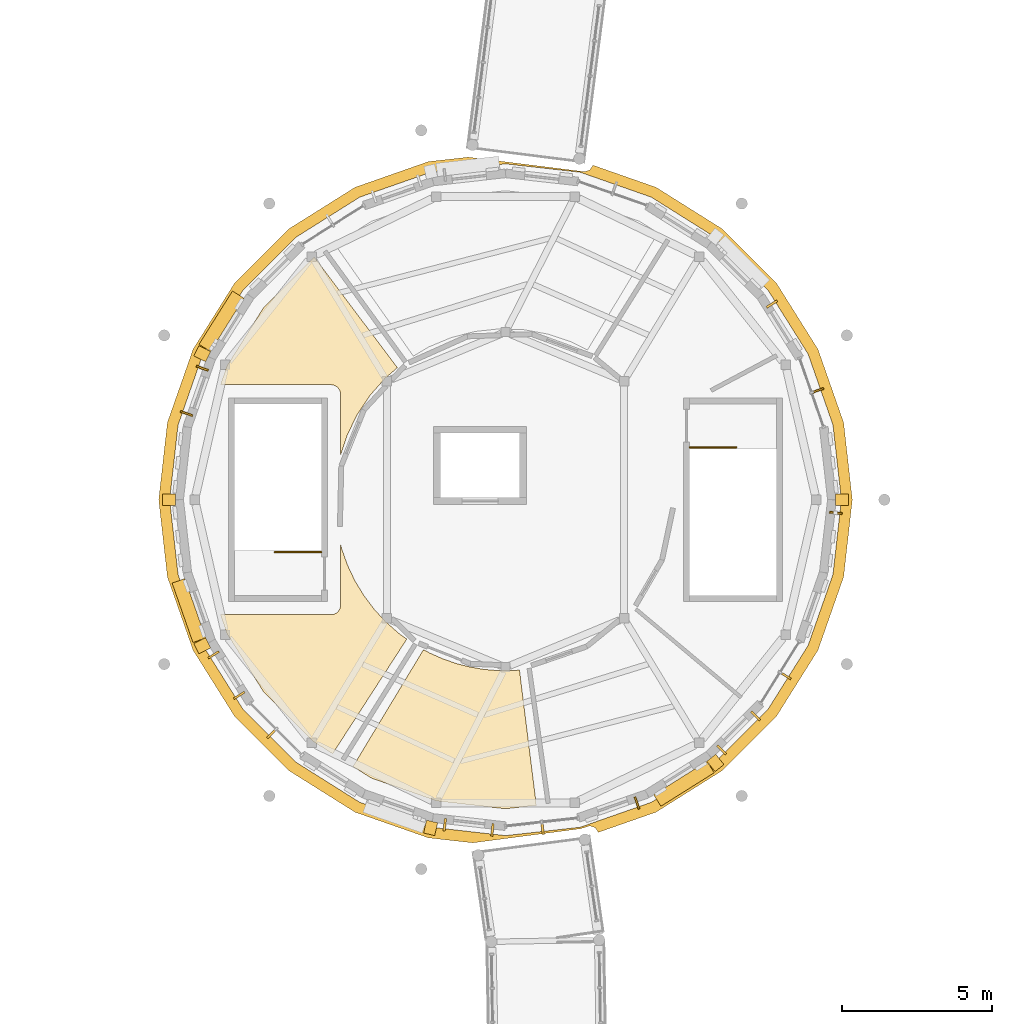
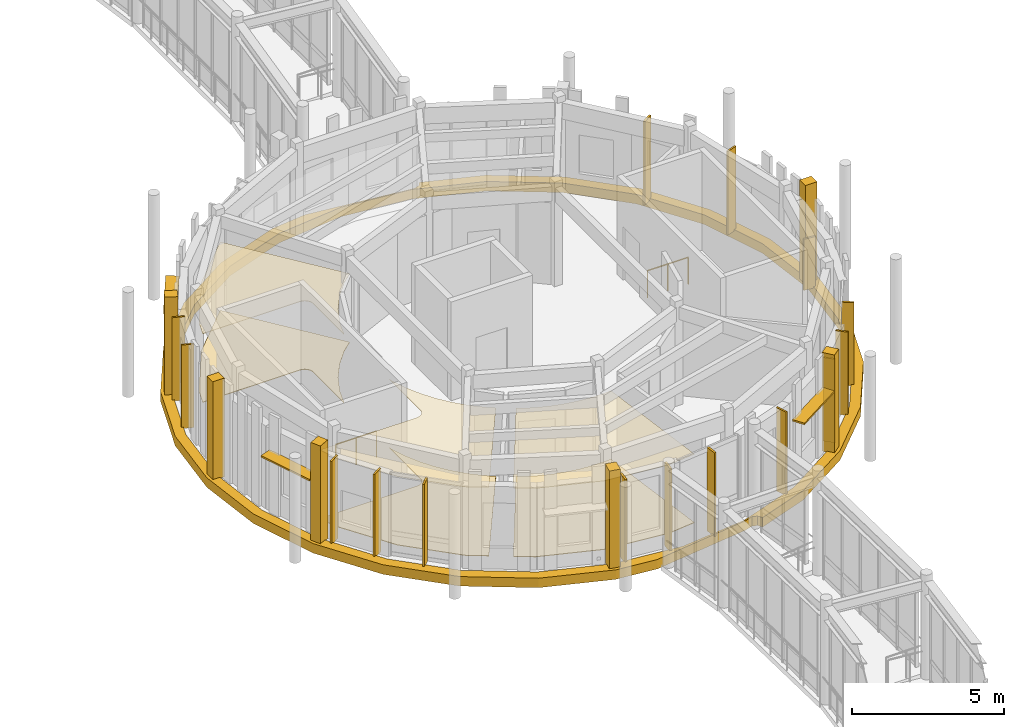
# One storey, part 68 of 80: 18 shading devices, 13 coverings, 2 railings.
"""IFC4 building model written with IfcOpenShell, lengths in metres."""

from ifc_helpers import new_model, si_unit, direction, frame, origin, origin_2d, place, context, subcontext, project, spatial, polyline, rectangle, circle, outline, extrude, material, layer, layer_set, type_object, element, save


model = new_model("IFC4")

# Units and contexts
model_context = context("Model", 3, precision=1e-05, world=origin(), true_north=direction((0.0, 1.0)))
body_context = subcontext(model_context, "Body", "Model", "MODEL_VIEW")
ifc_project = project(units=[si_unit("LENGTHUNIT", "METRE"), si_unit("AREAUNIT", "SQUARE_METRE"), si_unit("VOLUMEUNIT", "CUBIC_METRE"), si_unit("PLANEANGLEUNIT", "RADIAN"), si_unit("MASSUNIT", "GRAM", prefix="KILO")], contexts=[model_context])

# Site, building, storey
site_placement = place(None, origin())
site = spatial("IfcSite", under=ifc_project, at=site_placement, CompositionType="ELEMENT")
building_placement = place(site_placement, origin())
building = spatial("IfcBuilding", under=site, at=building_placement, Name="Aldenvaro Health Centre", CompositionType="ELEMENT")
storey_placement = place(building_placement, frame((0.0, 0.0, 4.550048828125)))
storey = spatial("IfcBuildingStorey", under=building, at=storey_placement, Name="L01", CompositionType="ELEMENT", Elevation=4.550048828125)

# Coverings
ifc_material_1 = material(Name="Antimicrobial Mineral Fibre Ceiling")
ifc_layer_1 = layer(ifc_material_1, 0.01806640625, Name="Antimicrobial Mineral Fibre Ceiling")
ifc_layer_set_1 = layer_set([ifc_layer_1], Name="Antimicrobial Mineral Fibre Ceiling")
covering_type_1 = type_object("IfcCoveringType", Name="COV-CLG-ACT18", PredefinedType="CEILING", material=ifc_layer_set_1)
covering_1_placement = place(storey_placement, frame((0.0, 0.0, 2.75)))
element("IfcCovering", 1, at=covering_1_placement, inside=storey, type_object=covering_type_1, Name="D3-L01-R02 Suspended Ceiling", PredefinedType="CEILING", context=body_context, shape_type="SweptSolid", body=[
    extrude(outline(polyline([(17.989990234375, 58.98095703125), (17.989990234375, 61.02001953125), (17.989990234375, 61.031982421875), (17.989013671875, 61.0400390625), (17.987060546875, 61.06298828125), (17.986083984375, 61.071044921875), (17.98095703125, 61.093994140625), (17.97900390625, 61.10205078125), (17.972900390625, 61.1240234375), (17.969970703125, 61.131103515625), (17.9609375, 61.153076171875), (17.9580078125, 61.159912109375), (17.946044921875, 61.180908203125), (17.94189453125, 61.18798828125), (17.928955078125, 61.20703125), (17.925048828125, 61.214111328125), (17.909912109375, 61.23193359375), (17.904052734375, 61.238037109375), (17.887939453125, 61.25390625), (17.882080078125, 61.260009765625), (17.864013671875, 61.27490234375), (17.85693359375, 61.279052734375), (17.837890625, 61.2919921875), (17.8310546875, 61.2958984375), (17.81005859375, 61.30810546875), (17.802978515625, 61.31103515625), (17.781005859375, 61.320068359375), (17.77392578125, 61.322998046875), (17.751953125, 61.3291015625), (17.743896484375, 61.3310546875), (17.720947265625, 61.3359375), (17.712890625, 61.3369140625), (17.68994140625, 61.339111328125), (17.681884765625, 61.340087890625), (17.669921875, 61.340087890625), (13.98095703125, 61.340087890625), (14.2041015625, 61.97705078125), (15.43310546875, 63.93310546875), (17.06689453125, 65.56689453125), (17.117919921875, 65.60009765625), (19.888916015625, 61.908935546875), (19.4970703125, 61.571044921875), (19.47412109375, 61.549072265625), (18.98291015625, 60.992919921875), (18.964111328125, 60.967041015625), (18.552001953125, 60.34912109375), (18.535888671875, 60.321044921875), (18.2119140625, 59.654052734375), (18.199951171875, 59.6240234375), (17.989990234375, 58.98095703125)])), origin(), (0.0, 0.0, 1.0), 0.01806640625),
])
covering_2_placement = place(storey_placement, frame((0.0, 0.0, 2.75)))
element("IfcCovering", 2, at=covering_2_placement, inside=storey, type_object=covering_type_1, Name="D3-L01-R03 Suspended Ceiling", PredefinedType="CEILING", context=body_context, shape_type="SweptSolid", body=[
    extrude(outline(polyline([(17.989990234375, 56.02392578125), (18.027099609375, 55.873046875), (18.033935546875, 55.85009765625), (18.218017578125, 55.3310546875), (18.22802734375, 55.30810546875), (18.462890625, 54.81005859375), (18.47509765625, 54.7890625), (18.760009765625, 54.31689453125), (18.77294921875, 54.297119140625), (19.10400390625, 53.85595703125), (19.118896484375, 53.837890625), (19.492919921875, 53.43310546875), (19.510009765625, 53.416015625), (19.923095703125, 53.050048828125), (19.94091796875, 53.034912109375), (20.202880859375, 52.845947265625), (17.72705078125, 49.01806640625), (17.06689453125, 49.43310546875), (15.43310546875, 51.06689453125), (14.2041015625, 53.02294921875), (13.98095703125, 53.659912109375), (17.669921875, 53.659912109375), (17.681884765625, 53.659912109375), (17.68994140625, 53.660888671875), (17.712890625, 53.6630859375), (17.720947265625, 53.6640625), (17.743896484375, 53.6689453125), (17.751953125, 53.6708984375), (17.77392578125, 53.677001953125), (17.781005859375, 53.679931640625), (17.802978515625, 53.68896484375), (17.81005859375, 53.69189453125), (17.8310546875, 53.7041015625), (17.837890625, 53.7080078125), (17.85693359375, 53.720947265625), (17.864013671875, 53.72509765625), (17.882080078125, 53.739990234375), (17.887939453125, 53.74609375), (17.904052734375, 53.761962890625), (17.909912109375, 53.76806640625), (17.925048828125, 53.785888671875), (17.928955078125, 53.79296875), (17.94189453125, 53.81201171875), (17.946044921875, 53.819091796875), (17.9580078125, 53.840087890625), (17.9609375, 53.846923828125), (17.969970703125, 53.868896484375), (17.972900390625, 53.8759765625), (17.97900390625, 53.89794921875), (17.98095703125, 53.906005859375), (17.986083984375, 53.928955078125), (17.987060546875, 53.93701171875), (17.989013671875, 53.9599609375), (17.989990234375, 53.968017578125), (17.989990234375, 53.97998046875), (17.989990234375, 56.02392578125)])), origin(), (0.0, 0.0, 1.0), 0.01806640625),
])
covering_3_placement = place(storey_placement, frame((0.0, 0.0, 2.75)))
element("IfcCovering", 3, at=covering_3_placement, inside=storey, type_object=covering_type_1, Name="D3-L01-R04 Suspended Ceiling", PredefinedType="CEILING", context=body_context, shape_type="SweptSolid", body=[
    extrude(outline(polyline([(20.958984375, 52.386962890625), (20.97705078125, 52.3779296875), (21.39306640625, 52.193115234375), (21.412109375, 52.18603515625), (21.843017578125, 52.035888671875), (21.862060546875, 52.030029296875), (22.302978515625, 51.9169921875), (22.322998046875, 51.9130859375), (22.77197265625, 51.8369140625), (22.7919921875, 51.833984375), (23.24609375, 51.7958984375), (23.26611328125, 51.794921875), (23.721923828125, 51.794921875), (23.741943359375, 51.794921875), (23.966064453125, 51.81396484375), (24.529052734375, 47.298095703125), (23.5, 47.181884765625), (21.2041015625, 47.44091796875), (19.02294921875, 48.2041015625), (18.406005859375, 48.591064453125), (20.760986328125, 52.4951171875), (20.958984375, 52.386962890625)])), origin(), (0.0, 0.0, 1.0), 0.01806640625),
])
ifc_material_2 = material(Name="Honed Sonoran Buff Limestone", Category="masonry")
ifc_layer_2 = layer(ifc_material_2, 0.280029296875, Name="Honed Sonoran Buff Limestone", Category="masonry")
ifc_layer_set_2 = layer_set([ifc_layer_2], Name="Honed Sonoran Buff Limestone")
covering_type_2 = type_object("IfcCoveringType", Name="COV-CRN-STN", PredefinedType="CLADDING", material=ifc_layer_set_2)
covering_4_placement = place(storey_placement, frame((0.0, 0.0, -0.340087890625)))
element("IfcCovering", 4, at=covering_4_placement, inside=storey, type_object=covering_type_2, Name="D3 L01 Classical Stone Entablature Cornice 1", PredefinedType="CLADDING", context=body_context, shape_type="SweptSolid", body=[
    extrude(outline(polyline([(28.52392578125, 67.93310546875), (30.719970703125, 66.553955078125), (32.553955078125, 64.719970703125), (33.93310546875, 62.52392578125), (34.7900390625, 60.076904296875), (35.080078125, 57.5), (34.7900390625, 54.923095703125), (33.93310546875, 52.47607421875), (32.553955078125, 50.280029296875), (30.719970703125, 48.446044921875), (28.52392578125, 47.06689453125), (26.59912109375, 46.39306640625), (26.493896484375, 46.553955078125), (26.31396484375, 46.610107421875), (26.0048828125, 46.513916015625), (22.405029296875, 46.04296875), (20.923095703125, 46.2099609375), (18.47607421875, 47.06689453125), (16.280029296875, 48.446044921875), (14.446044921875, 50.280029296875), (13.06689453125, 52.47607421875), (12.2099609375, 54.923095703125), (11.919921875, 57.5), (12.2099609375, 60.076904296875), (13.06689453125, 62.52392578125), (14.446044921875, 64.719970703125), (16.280029296875, 66.553955078125), (18.47607421875, 67.93310546875), (20.923095703125, 68.7900390625), (22.251953125, 68.93994140625), (26.139892578125, 68.452880859375), (26.319091796875, 68.511962890625), (26.4208984375, 68.669921875), (28.52392578125, 67.93310546875)]), holes=[polyline([(34.43408203125, 59.99609375), (33.60400390625, 62.365966796875), (32.26806640625, 64.491943359375), (30.491943359375, 66.26806640625), (28.365966796875, 67.60400390625), (25.99609375, 68.43408203125), (23.5, 68.715087890625), (21.00390625, 68.43408203125), (18.634033203125, 67.60400390625), (16.508056640625, 66.26806640625), (14.73193359375, 64.491943359375), (13.39599609375, 62.365966796875), (12.56591796875, 59.99609375), (12.284912109375, 57.5), (12.56591796875, 55.00390625), (13.39599609375, 52.634033203125), (14.73193359375, 50.508056640625), (16.508056640625, 48.73193359375), (18.634033203125, 47.39599609375), (21.00390625, 46.56591796875), (23.5, 46.284912109375), (25.99609375, 46.56591796875), (28.365966796875, 47.39599609375), (30.491943359375, 48.73193359375), (32.26806640625, 50.508056640625), (33.60400390625, 52.634033203125), (34.43408203125, 55.00390625), (34.715087890625, 57.5), (34.43408203125, 59.99609375)])]), origin(), (0.0, 0.0, 1.0), 0.380126953125),
])
for number, where, z_axis, x_axis, name in (
    (5, (34.739990234375, 57.5, 0.0), (0.0, 0.0, 1.0), (1.0, 0.0, 0.0), "D3 L01 Engaged Classical Limestone Pilaster 01"),
    (6, (30.508056640625, 48.7119140625, 0.0), (0.0, 0.0, 1.0), (0.623485976143, -0.781834533359, 0.0), "D3 L01 Engaged Classical Limestone Pilaster 03"),
    (7, (20.9990234375, 46.5419921875, 0.0), (0.0, 0.0, 1.0), (-0.222473549538, -0.974938726155, 0.0), "D3 L01 Engaged Classical Limestone Pilaster 05"),
    (8, (13.373046875, 52.6240234375, 0.0), (0.0, 0.0, 1.0), (-0.900988388345, -0.433843202168, 0.0), "D3 L01 Engaged Classical Limestone Pilaster 07"),
    (9, (12.260009765625, 57.5, 0.0), (0.0, 0.0, 1.0), (-1.0, 0.0, 0.0), "D3 L01 Engaged Classical Limestone Pilaster 08"),
    (10, (13.373046875, 62.3759765625, 0.0), (0.0, 0.0, 1.0), (-0.900988388345, 0.433843202168, 0.0), "D3 L01 Engaged Classical Limestone Pilaster 09"),
):
    element("IfcCovering", number, at=place(storey_placement, frame(where, z_axis=z_axis, x_axis=x_axis)), inside=storey, type_object=covering_type_2, Name=name, PredefinedType="CLADDING", context=body_context, shape_type="SweptSolid", body=[
        extrude(rectangle(XDim=0.43994140625, YDim=0.3798828125, at=origin_2d()), origin(), (0.0, 0.0, 1.0), 3.9599609375),
    ])
ifc_material_3 = material(Name="Polished Epoxy Terrazzo Flooring")
ifc_layer_3 = layer(ifc_material_3, 0.02197265625, Name="Polished Epoxy Terrazzo Flooring")
ifc_layer_set_3 = layer_set([ifc_layer_3], Name="Polished Epoxy Terrazzo Flooring")
covering_type_3 = type_object("IfcCoveringType", Name="COV-FLR-TER22", PredefinedType="FLOORING", material=ifc_layer_set_3)
covering_5_placement = place(storey_placement, origin())
element("IfcCovering", 11, at=covering_5_placement, inside=storey, type_object=covering_type_3, Name="D3-L01-R02 Flooring", PredefinedType="FLOORING", context=body_context, shape_type="SweptSolid", body=[
    extrude(outline(polyline([(17.989990234375, 58.98095703125), (17.989990234375, 61.02001953125), (17.989990234375, 61.031982421875), (17.989013671875, 61.0400390625), (17.987060546875, 61.06298828125), (17.986083984375, 61.071044921875), (17.98095703125, 61.093994140625), (17.97900390625, 61.10205078125), (17.972900390625, 61.1240234375), (17.969970703125, 61.131103515625), (17.9609375, 61.153076171875), (17.9580078125, 61.159912109375), (17.946044921875, 61.180908203125), (17.94189453125, 61.18798828125), (17.928955078125, 61.20703125), (17.925048828125, 61.214111328125), (17.909912109375, 61.23193359375), (17.904052734375, 61.238037109375), (17.887939453125, 61.25390625), (17.882080078125, 61.260009765625), (17.864013671875, 61.27490234375), (17.85693359375, 61.279052734375), (17.837890625, 61.2919921875), (17.8310546875, 61.2958984375), (17.81005859375, 61.30810546875), (17.802978515625, 61.31103515625), (17.781005859375, 61.320068359375), (17.77392578125, 61.322998046875), (17.751953125, 61.3291015625), (17.743896484375, 61.3310546875), (17.720947265625, 61.3359375), (17.712890625, 61.3369140625), (17.68994140625, 61.339111328125), (17.681884765625, 61.340087890625), (17.669921875, 61.340087890625), (13.98095703125, 61.340087890625), (14.2041015625, 61.97705078125), (15.43310546875, 63.93310546875), (17.06689453125, 65.56689453125), (17.117919921875, 65.60009765625), (19.888916015625, 61.908935546875), (19.4970703125, 61.571044921875), (19.47412109375, 61.549072265625), (18.98291015625, 60.992919921875), (18.964111328125, 60.967041015625), (18.552001953125, 60.34912109375), (18.535888671875, 60.321044921875), (18.2119140625, 59.654052734375), (18.199951171875, 59.6240234375), (17.989990234375, 58.98095703125)])), origin(), (0.0, 0.0, 1.0), 0.02197265625),
])
covering_6_placement = place(storey_placement, origin())
element("IfcCovering", 12, at=covering_6_placement, inside=storey, type_object=covering_type_3, Name="D3-L01-R03 Flooring", PredefinedType="FLOORING", context=body_context, shape_type="SweptSolid", body=[
    extrude(outline(polyline([(17.989990234375, 56.02392578125), (18.027099609375, 55.873046875), (18.033935546875, 55.85009765625), (18.218017578125, 55.3310546875), (18.22802734375, 55.30810546875), (18.462890625, 54.81005859375), (18.47509765625, 54.7890625), (18.760009765625, 54.31689453125), (18.77294921875, 54.297119140625), (19.10400390625, 53.85595703125), (19.118896484375, 53.837890625), (19.492919921875, 53.43310546875), (19.510009765625, 53.416015625), (19.923095703125, 53.050048828125), (19.94091796875, 53.034912109375), (20.202880859375, 52.845947265625), (17.72705078125, 49.01806640625), (17.06689453125, 49.43310546875), (15.43310546875, 51.06689453125), (14.2041015625, 53.02294921875), (13.98095703125, 53.659912109375), (17.669921875, 53.659912109375), (17.681884765625, 53.659912109375), (17.68994140625, 53.660888671875), (17.712890625, 53.6630859375), (17.720947265625, 53.6640625), (17.743896484375, 53.6689453125), (17.751953125, 53.6708984375), (17.77392578125, 53.677001953125), (17.781005859375, 53.679931640625), (17.802978515625, 53.68896484375), (17.81005859375, 53.69189453125), (17.8310546875, 53.7041015625), (17.837890625, 53.7080078125), (17.85693359375, 53.720947265625), (17.864013671875, 53.72509765625), (17.882080078125, 53.739990234375), (17.887939453125, 53.74609375), (17.904052734375, 53.761962890625), (17.909912109375, 53.76806640625), (17.925048828125, 53.785888671875), (17.928955078125, 53.79296875), (17.94189453125, 53.81201171875), (17.946044921875, 53.819091796875), (17.9580078125, 53.840087890625), (17.9609375, 53.846923828125), (17.969970703125, 53.868896484375), (17.972900390625, 53.8759765625), (17.97900390625, 53.89794921875), (17.98095703125, 53.906005859375), (17.986083984375, 53.928955078125), (17.987060546875, 53.93701171875), (17.989013671875, 53.9599609375), (17.989990234375, 53.968017578125), (17.989990234375, 53.97998046875), (17.989990234375, 56.02392578125)])), origin(), (0.0, 0.0, 1.0), 0.02197265625),
])
covering_7_placement = place(storey_placement, origin())
element("IfcCovering", 13, at=covering_7_placement, inside=storey, type_object=covering_type_3, Name="D3-L01-R04 Flooring", PredefinedType="FLOORING", context=body_context, shape_type="SweptSolid", body=[
    extrude(outline(polyline([(20.958984375, 52.386962890625), (20.97705078125, 52.3779296875), (21.39306640625, 52.193115234375), (21.412109375, 52.18603515625), (21.843017578125, 52.035888671875), (21.862060546875, 52.030029296875), (22.302978515625, 51.9169921875), (22.322998046875, 51.9130859375), (22.77197265625, 51.8369140625), (22.7919921875, 51.833984375), (23.24609375, 51.7958984375), (23.26611328125, 51.794921875), (23.721923828125, 51.794921875), (23.741943359375, 51.794921875), (23.966064453125, 51.81396484375), (24.529052734375, 47.298095703125), (23.5, 47.181884765625), (21.2041015625, 47.44091796875), (19.02294921875, 48.2041015625), (18.406005859375, 48.591064453125), (20.760986328125, 52.4951171875), (20.958984375, 52.386962890625)])), origin(), (0.0, 0.0, 1.0), 0.02197265625),
])

# Railings
ifc_material_4 = material(Name="Painted Architectural Steel", Category="steel")
railing_type = type_object("IfcRailingType", Name="RL-BAL-INT", PredefinedType="BALUSTRADE", material=ifc_material_4)
railing_1_placement = place(storey_placement, frame((29.64990234375, 59.25, 0.0)))
element("IfcRailing", 14, at=railing_1_placement, inside=storey, type_object=railing_type, Name="L01 ST-05 top well guard 1", PredefinedType="BALUSTRADE", context=body_context, shape_type="SweptSolid", body=[
    extrude(circle(Radius=0.02392578125, at=origin_2d()), frame((0.0, 0.0, 1.076171875), z_axis=(1.0, 0.0, 0.0), x_axis=(0.0, 1.0, 0.0)), (0.0, 0.0, 1.0), 1.550048828125),
    extrude(circle(Radius=0.02099609375, at=origin_2d()), origin(), (0.0, 0.0, 1.0), 1.052001953125),
    extrude(circle(Radius=0.02099609375, at=origin_2d()), frame((0.77490234375, 0.0, 0.0)), (0.0, 0.0, 1.0), 1.052001953125),
    extrude(circle(Radius=0.02099609375, at=origin_2d()), frame((1.550048828125, 0.0, 0.0)), (0.0, 0.0, 1.0), 1.052001953125),
])
railing_2_placement = place(storey_placement, frame((17.35009765625, 55.75, 0.0)))
element("IfcRailing", 15, at=railing_2_placement, inside=storey, type_object=railing_type, Name="L01 ST-06 top well guard 1", PredefinedType="BALUSTRADE", context=body_context, shape_type="SweptSolid", body=[
    extrude(circle(Radius=0.02392578125, at=origin_2d()), frame((0.0, 0.0, 1.076171875), z_axis=(-1.0, 0.0, 0.0), x_axis=(0.0, -1.0, 0.0)), (0.0, 0.0, 1.0), 1.550048828125),
    extrude(circle(Radius=0.02099609375, at=origin_2d()), origin(), (0.0, 0.0, 1.0), 1.052001953125),
    extrude(circle(Radius=0.02099609375, at=origin_2d()), frame((-0.77490234375, 0.0, 0.0)), (0.0, 0.0, 1.0), 1.052001953125),
    extrude(circle(Radius=0.02099609375, at=origin_2d()), frame((-1.550048828125, 0.0, 0.0)), (0.0, 0.0, 1.0), 1.052001953125),
])

# Shading devices
ifc_material_5 = material(Name="Douglas Fir Exterior Glulam GL28h", Category="wood")
shading_device_type_1 = type_object("IfcShadingDeviceType", Name="SHD-FIN-205", PredefinedType="USERDEFINED", material=ifc_material_5)
shading_device_1_placement = place(storey_placement, frame((34.527099609375, 57.06298828125, -0.02001953125), z_axis=(0.0, 0.0, 1.0), x_axis=(-0.111870646695, -0.993722777443, 0.0)))
element("IfcShadingDevice", 16, at=shading_device_1_placement, inside=storey, type_object=shading_device_type_1, Name="D3 L01 Douglas fir fin 1.1", ObjectType="FIN", PredefinedType="USERDEFINED", context=body_context, shape_type="SweptSolid", body=[
    extrude(rectangle(XDim=0.06494140625, YDim=0.419921875, at=origin_2d()), origin(), (0.0, 0.0, 1.0), 2.050048828125),
])
shading_device_type_2 = type_object("IfcShadingDeviceType", Name="SHD-FIN-340", PredefinedType="USERDEFINED", material=ifc_material_5)
for number, where, z_axis, x_axis, name in (
    (17, (23.06298828125, 46.472900390625, -0.02001953125), (0.0, 0.0, 1.0), (-0.993722777443, 0.111870646695, 0.0), "D3 L01 Douglas fir fin 8.1"),
    (18, (21.472900390625, 46.652099609375, -0.02001953125), (0.0, 0.0, 1.0), (-0.993722777443, 0.111870646695, 0.0), "D3 L01 Douglas fir fin 8.3"),
    (19, (32.39404296875, 64.033935546875, -0.02001953125), (0.0, 0.0, 1.0), (0.532096042675, -0.846684003256, 0.0), "D3 L01 Douglas fir fin 26.1"),
):
    element("IfcShadingDevice", number, at=place(storey_placement, frame(where, z_axis=z_axis, x_axis=x_axis)), inside=storey, type_object=shading_device_type_2, Name=name, ObjectType="FIN", PredefinedType="USERDEFINED", context=body_context, shape_type="SweptSolid", body=[
        extrude(rectangle(XDim=0.074951171875, YDim=0.419921875, at=origin_2d()), origin(), (0.0, 0.0, 1.0), 3.35400390625),
    ])
shading_device_type_3 = type_object("IfcShadingDeviceType", Name="SHD-FIN-380", PredefinedType="USERDEFINED", material=ifc_material_5)
shading_device_2_placement = place(storey_placement, frame((24.736083984375, 46.528076171875, -0.02001953125), z_axis=(0.0, 0.0, 1.0), x_axis=(-0.993722777443, -0.111870646695, 0.0)))
element("IfcShadingDevice", 20, at=shading_device_2_placement, inside=storey, type_object=shading_device_type_3, Name="D3 L01 vertical timber fin 7.0", ObjectType="FIN", PredefinedType="USERDEFINED", context=body_context, shape_type="SweptSolid", body=[
    extrude(rectangle(XDim=0.074951171875, YDim=0.419921875, at=origin_2d()), origin(), (0.0, 0.0, 1.0), 3.35400390625),
])
shading_device_type_4 = type_object("IfcShadingDeviceType", Name="SHD-FIN-400", PredefinedType="USERDEFINED", material=ifc_material_5)
for number, where, z_axis, x_axis, name in (
    (21, (27.889892578125, 47.375, -0.02001953125), (0.0, 0.0, 1.0), (-0.943909441385, -0.330204431323, 0.0), "D3 L01 Douglas fir fin 6.1"),
    (22, (14.60595703125, 50.966064453125, -0.02001953125), (0.0, 0.0, 1.0), (-0.532096042675, 0.846684003256, 0.0), "D3 L01 Douglas fir fin 12.1"),
    (23, (13.75390625, 52.322021484375, -0.02001953125), (0.0, 0.0, 1.0), (-0.532096042675, 0.846684003256, 0.0), "D3 L01 Douglas fir fin 12.3"),
):
    element("IfcShadingDevice", number, at=place(storey_placement, frame(where, z_axis=z_axis, x_axis=x_axis)), inside=storey, type_object=shading_device_type_4, Name=name, ObjectType="FIN", PredefinedType="USERDEFINED", context=body_context, shape_type="SweptSolid", body=[
        extrude(rectangle(XDim=0.06494140625, YDim=0.419921875, at=origin_2d()), origin(), (0.0, 0.0, 1.0), 3.35400390625),
    ])
shading_device_type_5 = type_object("IfcShadingDeviceType", Name="SHD-FIN-420", PredefinedType="USERDEFINED", material=ifc_material_5)
shading_device_3_placement = place(storey_placement, frame((15.693115234375, 49.693115234375, -0.02001953125), z_axis=(0.0, 0.0, 1.0), x_axis=(-0.707106781187, 0.707106781187, 0.0)))
element("IfcShadingDevice", 24, at=shading_device_3_placement, inside=storey, type_object=shading_device_type_5, Name="D3 L01 vertical timber fin 11.0", ObjectType="FIN", PredefinedType="USERDEFINED", context=body_context, shape_type="SweptSolid", body=[
    extrude(rectangle(XDim=0.06494140625, YDim=0.419921875, at=origin_2d()), origin(), (0.0, 0.0, 1.0), 3.35400390625),
])
shading_device_type_6 = type_object("IfcShadingDeviceType", Name="SHD-FIN-435", PredefinedType="USERDEFINED", material=ifc_material_5)
for number, where, z_axis, x_axis, name in (
    (25, (31.84912109375, 50.282958984375, -0.02001953125), (0.0, 0.0, 1.0), (-0.707106781187, -0.707106781187, 0.0), "D3 L01 Douglas fir fin 4.1"),
    (26, (30.717041015625, 49.15087890625, -0.02001953125), (0.0, 0.0, 1.0), (-0.707106781187, -0.707106781187, 0.0), "D3 L01 Douglas fir fin 4.3"),
    (27, (12.846923828125, 60.37890625, -0.02001953125), (0.0, 0.0, 1.0), (0.330204431323, 0.943909441385, 0.0), "D3 L01 Douglas fir fin 16.1"),
    (28, (13.375, 61.889892578125, -0.02001953125), (0.0, 0.0, 1.0), (0.330204431323, 0.943909441385, 0.0), "D3 L01 Douglas fir fin 16.3"),
):
    element("IfcShadingDevice", number, at=place(storey_placement, frame(where, z_axis=z_axis, x_axis=x_axis)), inside=storey, type_object=shading_device_type_6, Name=name, ObjectType="FIN", PredefinedType="USERDEFINED", context=body_context, shape_type="SweptSolid", body=[
        extrude(rectangle(XDim=0.06494140625, YDim=0.419921875, at=origin_2d()), origin(), (0.0, 0.0, 1.0), 3.35400390625),
    ])
shading_device_type_7 = type_object("IfcShadingDeviceType", Name="SHD-FIN-455", PredefinedType="USERDEFINED", material=ifc_material_5)
for number, where, z_axis, x_axis, name in (
    (29, (32.84912109375, 51.6259765625, -0.02001953125), (0.0, 0.0, 1.0), (-0.532096042675, -0.846684003256, 0.0), "D3 L01 vertical timber fin 3.0"),
    (30, (33.922119140625, 61.14599609375, -0.02001953125), (0.0, 0.0, 1.0), (0.330204431323, -0.943909441385, 0.0), "D3 L01 vertical timber fin 27.0"),
):
    element("IfcShadingDevice", number, at=place(storey_placement, frame(where, z_axis=z_axis, x_axis=x_axis)), inside=storey, type_object=shading_device_type_7, Name=name, ObjectType="FIN", PredefinedType="USERDEFINED", context=body_context, shape_type="SweptSolid", body=[
        extrude(rectangle(XDim=0.06494140625, YDim=0.419921875, at=origin_2d()), origin(), (0.0, 0.0, 1.0), 3.35400390625),
    ])
shading_device_type_8 = type_object("IfcShadingDeviceType", Name="SHD-LVR-210", PredefinedType="JALOUSIE", material=ifc_material_5)
for number, where, z_axis, x_axis, name in (
    (31, (29.458984375, 48.014892578125, 2.49755859375), (0.0, 0.0, 1.0), (-0.846684003256, -0.532096042675, 0.0), "D3 L01 horizontal solar louvre 05"),
    (32, (12.927001953125, 53.800048828125, 2.3974609375), (0.0, 0.0, 1.0), (-0.330204431323, 0.943909441385, 0.0), "D3 L01 horizontal solar louvre 13"),
    (33, (14.014892578125, 63.4599609375, 2.99755859375), (0.0, 0.0, 1.0), (0.532096042675, 0.846684003256, 0.0), "D3 L01 horizontal solar louvre 17"),
):
    element("IfcShadingDevice", number, at=place(storey_placement, frame(where, z_axis=z_axis, x_axis=x_axis)), inside=storey, type_object=shading_device_type_8, Name=name, PredefinedType="JALOUSIE", context=body_context, shape_type="SweptSolid", body=[
        extrude(rectangle(XDim=2.10009765625, YDim=0.449951171875, at=origin_2d()), origin(), (0.0, 0.0, 1.0), 0.06494140625),
    ])

save(model, "model.ifc")
